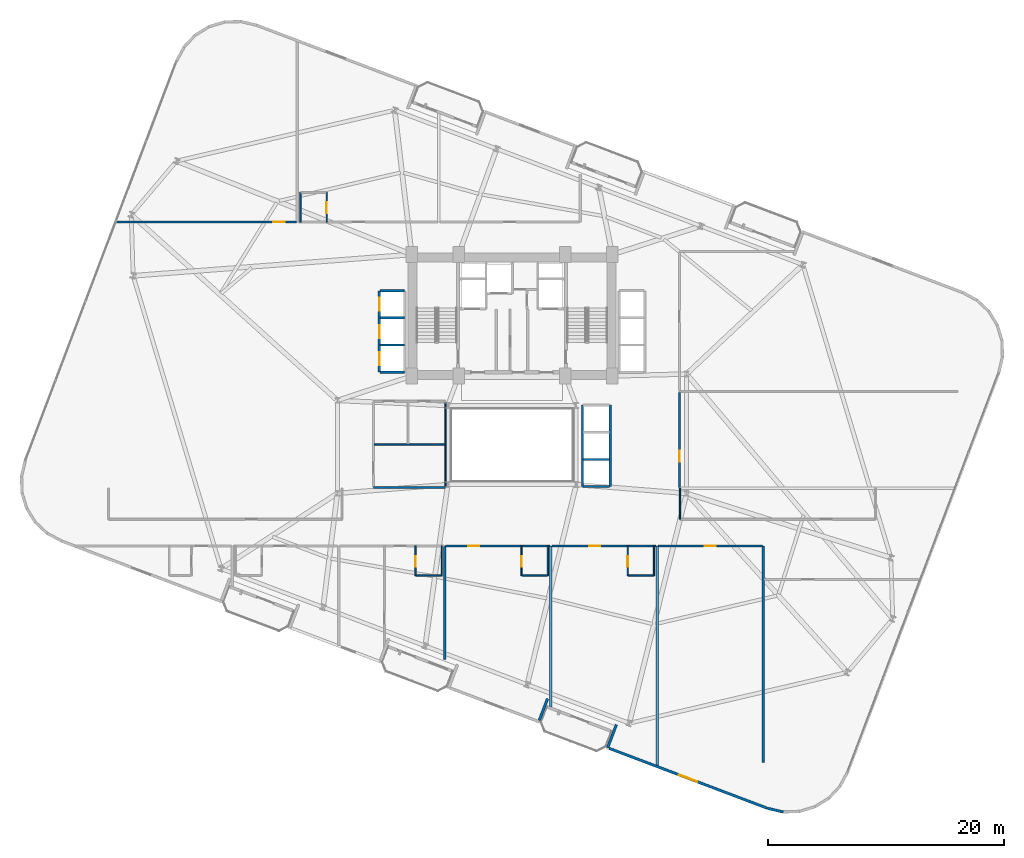
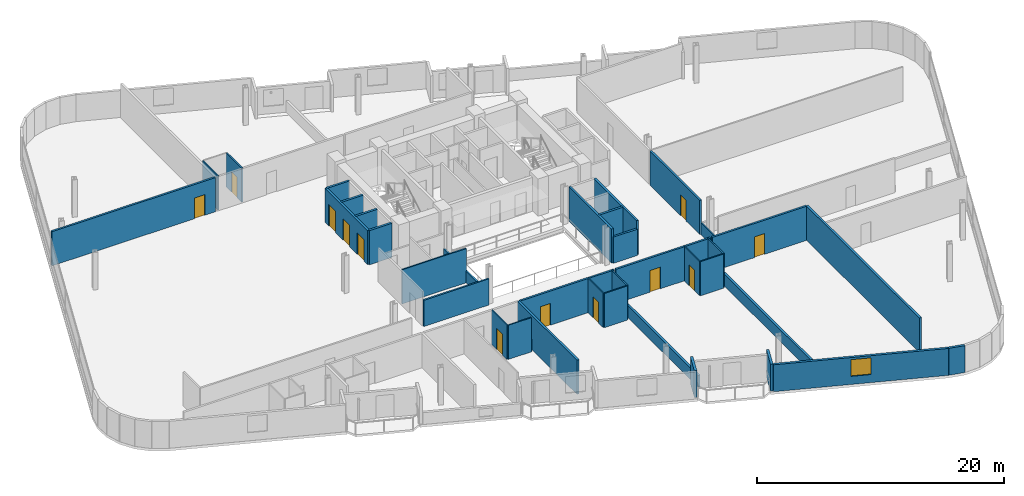
# One storey, part 19 of 25: 37 walls, 12 doors, 1 window, 13 openings.
"""IFC4 building model written with IfcOpenShell, lengths in metres."""

from ifc_helpers import new_model, si_unit, direction, frame, frame_2d, origin, place, context, subcontext, project, spatial, rectangle, extrude, material, layer, layer_set, type_object, element, fill, save


model = new_model("IFC4")

# Units and contexts
model_context = context("Model", 3, precision=1e-05, world=origin(), true_north=direction((0.0, 1.0)))
body_context = subcontext(model_context, "Body", "Model", "MODEL_VIEW")
ifc_project = project(units=[si_unit("LENGTHUNIT", "METRE"), si_unit("AREAUNIT", "SQUARE_METRE"), si_unit("VOLUMEUNIT", "CUBIC_METRE"), si_unit("PLANEANGLEUNIT", "RADIAN"), si_unit("MASSUNIT", "GRAM", prefix="KILO")], contexts=[model_context])

# Site, building, storey
site_placement = place(None, origin())
site = spatial("IfcSite", under=ifc_project, at=site_placement, CompositionType="ELEMENT")
building_placement = place(site_placement, origin())
building = spatial("IfcBuilding", under=site, at=building_placement, Name="Varnelok Gate Tower", CompositionType="ELEMENT")
storey_placement = place(building_placement, frame((0.0, 0.0, 113.199951171875)))
storey = spatial("IfcBuildingStorey", under=building, at=storey_placement, Name="L28", CompositionType="ELEMENT", Elevation=113.199951171875)

# Walls
ifc_material_1 = material(Name="Concrete C45/55", Category="concrete")
ifc_layer_1 = layer(ifc_material_1, 0.219970703125)
ifc_layer_set_1 = layer_set([ifc_layer_1], Name="Concrete C45/55")
wall_type_1 = type_object("IfcWallType", Name="EW-BALC-220", PredefinedType="SOLIDWALL", material=ifc_layer_set_1)
wall_1_placement = place(storey_placement, frame((41.515625, -0.4423828125, 0.0), z_axis=(0.0, 0.0, 1.0), x_axis=(0.354061611705, 0.935222099352, 0.0)))
element("IfcWall", 1, at=wall_1_placement, inside=storey, type_object=wall_type_1, Name="L28 Perimeter Facade Closure Wall 14", PredefinedType="SOLIDWALL", context=body_context, shape_type="SweptSolid", body=[
    extrude(rectangle(XDim=1.974853515625, YDim=0.219970703125, at=frame_2d((0.9873046875, 0.0))), origin(), (0.0, 0.0, 1.0), 2.66015625),
])
wall_2_placement = place(storey_placement, frame((48.050537109375, -0.8046875, 0.0), z_axis=(0.0, 0.0, 1.0), x_axis=(-0.353988291547, -0.935249854022, 0.0)))
element("IfcWall", 2, at=wall_2_placement, inside=storey, type_object=wall_type_1, Name="L28 Perimeter Facade Closure Wall 15", PredefinedType="SOLIDWALL", context=body_context, shape_type="SweptSolid", body=[
    extrude(rectangle(XDim=2.10009765625, YDim=0.219970703125, at=frame_2d((1.050048828125, 0.0))), origin(), (0.0, 0.0, 1.0), 2.66015625),
])

# Wall, opening, window
wall_3_placement = place(storey_placement, frame((47.424072265625, -2.81298828125, 0.0), z_axis=(0.0, 0.0, 1.0), x_axis=(0.935225962032, -0.354051408614, 0.0)))
wall_3 = element("IfcWall", 3, at=wall_3_placement, inside=storey, type_object=wall_type_1, Name="L28 Perimeter Facade Closure Wall 16", PredefinedType="SOLIDWALL", context=body_context, shape_type="SweptSolid", body=[
    extrude(rectangle(XDim=14.346923828125, YDim=0.219970703125, at=frame_2d((7.17333984375, 0.0))), origin(), (0.0, 0.0, 1.0), 2.66015625),
])
opening_1_placement = place(wall_3_placement, frame((6.348388671875, 0.0, 0.800048828125)))
opening_1 = element("IfcOpeningElement", 4, at=opening_1_placement, cuts=wall_3, Name="Opening WN3", PredefinedType="OPENING", context=body_context, shape_type="SweptSolid", body=[
    extrude(rectangle(XDim=1.64990234375, YDim=1.64990234375, at=frame_2d((0.824951171875, 0.824951171875))), frame((0.0, 0.119873046875, 0.0), z_axis=(0.0, -1.0, 0.0), x_axis=(1.0, 0.0, 0.0)), (0.0, 0.0, 1.0), 0.239990234375),
])
ifc_material_2 = material(Name="Low-E Laminated Double Glazing IGU", Category="glass")
window_type = type_object("IfcWindowType", Name="WN-HTL-1650", PartitioningType="SINGLE_PANEL", PredefinedType="WINDOW", material=ifc_material_2)
window_placement = place(opening_1_placement, origin())
window = element("IfcWindow", 5, at=window_placement, inside=storey, type_object=window_type, Name="L28 Perimeter Vision Window 16", OverallHeight=1.64990234375, OverallWidth=1.64990234375, PartitioningType="SINGLE_PANEL", PredefinedType="WINDOW", context=body_context, shape_type="SweptSolid", body=[
    extrude(rectangle(XDim=1.64990234375, YDim=1.64990234375, at=frame_2d((0.824951171875, 0.824951171875))), frame((0.0, 0.030029296875, 0.0), z_axis=(0.0, -1.0, 0.0), x_axis=(1.0, 0.0, 0.0)), (0.0, 0.0, 1.0), 0.06005859375),
])
fill(opening_1, window)

# Wall
wall_4_placement = place(storey_placement, frame((60.8662109375, -7.8984375, 0.0), z_axis=(0.0, 0.0, 1.0), x_axis=(0.973405403345, -0.229089329169, 0.0)))
element("IfcWall", 6, at=wall_4_placement, inside=storey, type_object=wall_type_1, Name="L28 Perimeter Facade Closure Wall 17", PredefinedType="SOLIDWALL", context=body_context, shape_type="SweptSolid", body=[
    extrude(rectangle(XDim=1.36083984375, YDim=0.219970703125, at=frame_2d((0.680419921875, 0.0))), origin(), (0.0, 0.0, 1.0), 2.66015625),
])

# Wall, opening, door
ifc_material_3 = material(Name="Gypsum Plasterboard Acoustic Partition", Category="gypsum")
ifc_layer_2 = layer(ifc_material_3, 0.179931640625)
ifc_layer_set_2 = layer_set([ifc_layer_2], Name="Gypsum Plasterboard Acoustic Partition")
wall_type_2 = type_object("IfcWallType", Name="PW-CORR-180", PredefinedType="PARTITIONING", material=ifc_layer_set_2)
wall_5_placement = place(storey_placement, frame((33.580078125, 14.35009765625, 0.0), z_axis=(0.0, 0.0, 1.0), x_axis=(1.0, 0.0, 0.0)))
wall_5 = element("IfcWall", 7, at=wall_5_placement, inside=storey, type_object=wall_type_2, Name="Interior Partition", PredefinedType="PARTITIONING", context=body_context, shape_type="SweptSolid", body=[
    extrude(rectangle(XDim=8.83984375, YDim=0.179931640625, at=frame_2d((4.419921875, 0.0))), origin(), (0.0, 0.0, 1.0), 3.380126953125),
])
opening_2_placement = place(wall_5_placement, frame((1.90673828125, 0.0, 0.0)))
opening_2 = element("IfcOpeningElement", 8, at=opening_2_placement, cuts=wall_5, Name="Opening D-HT", PredefinedType="OPENING", context=body_context, shape_type="SweptSolid", body=[
    extrude(rectangle(XDim=0.949951171875, YDim=2.14990234375, at=frame_2d((0.47509765625, 1.074951171875))), frame((0.0, 0.099853515625, 0.0), z_axis=(0.0, -1.0, 0.0), x_axis=(1.0, 0.0, 0.0)), (0.0, 0.0, 1.0), 0.199951171875),
])
ifc_material_4 = material(Name="Engineered Hardwood Timber", Category="wood")
door_type_1 = type_object("IfcDoorType", Name="DR-HTL-950", OperationType="NOTDEFINED", PredefinedType="DOOR", material=ifc_material_4)
door_1_placement = place(opening_2_placement, origin())
door_1 = element("IfcDoor", 9, at=door_1_placement, inside=storey, type_object=door_type_1, Name="L28 Guest Room 04 Entrance Door", OperationType="SINGLE_SWING_LEFT", OverallHeight=2.14990234375, OverallWidth=0.949951171875, PredefinedType="DOOR", context=body_context, shape_type="SweptSolid", body=[
    extrude(rectangle(XDim=0.949951171875, YDim=2.14990234375, at=frame_2d((0.47509765625, 1.074951171875))), frame((0.0, 0.02490234375, 0.0), z_axis=(0.0, -1.0, 0.0), x_axis=(1.0, 0.0, 0.0)), (0.0, 0.0, 1.0), 0.050048828125),
])
fill(opening_2, door_1)

wall_6_placement = place(storey_placement, frame((42.580078125, 14.35009765625, 0.0), z_axis=(0.0, 0.0, 1.0), x_axis=(1.0, 0.0, 0.0)))
wall_6 = element("IfcWall", 10, at=wall_6_placement, inside=storey, type_object=wall_type_2, Name="Interior Partition", PredefinedType="PARTITIONING", context=body_context, shape_type="SweptSolid", body=[
    extrude(rectangle(XDim=8.83984375, YDim=0.179931640625, at=frame_2d((4.419921875, 0.0))), origin(), (0.0, 0.0, 1.0), 3.380126953125),
])
opening_3_placement = place(wall_6_placement, frame((3.171630859375, 0.0, 0.0)))
opening_3 = element("IfcOpeningElement", 11, at=opening_3_placement, cuts=wall_6, Name="Opening D-HT", PredefinedType="OPENING", context=body_context, shape_type="SweptSolid", body=[
    extrude(rectangle(XDim=0.949951171875, YDim=2.14990234375, at=frame_2d((0.47509765625, 1.074951171875))), frame((0.0, 0.099853515625, 0.0), z_axis=(0.0, -1.0, 0.0), x_axis=(1.0, 0.0, 0.0)), (0.0, 0.0, 1.0), 0.199951171875),
])
door_2_placement = place(opening_3_placement, origin())
door_2 = element("IfcDoor", 12, at=door_2_placement, inside=storey, type_object=door_type_1, Name="L28 Guest Room 05 Entrance Door", OperationType="SINGLE_SWING_RIGHT", OverallHeight=2.14990234375, OverallWidth=0.949951171875, PredefinedType="DOOR", context=body_context, shape_type="SweptSolid", body=[
    extrude(rectangle(XDim=0.949951171875, YDim=2.14990234375, at=frame_2d((0.47509765625, 1.074951171875))), frame((0.0, 0.02490234375, 0.0), z_axis=(0.0, -1.0, 0.0), x_axis=(1.0, 0.0, 0.0)), (0.0, 0.0, 1.0), 0.050048828125),
])
fill(opening_3, door_2)

wall_7_placement = place(storey_placement, frame((51.580078125, 14.35009765625, 0.0), z_axis=(0.0, 0.0, 1.0), x_axis=(1.0, 0.0, 0.0)))
wall_7 = element("IfcWall", 13, at=wall_7_placement, inside=storey, type_object=wall_type_2, Name="Interior Partition", PredefinedType="PARTITIONING", context=body_context, shape_type="SweptSolid", body=[
    extrude(rectangle(XDim=8.83984375, YDim=0.179931640625, at=frame_2d((4.419921875, 0.0))), origin(), (0.0, 0.0, 1.0), 3.380126953125),
])
opening_4_placement = place(wall_7_placement, frame((3.945068359375, 0.0, 0.0)))
opening_4 = element("IfcOpeningElement", 14, at=opening_4_placement, cuts=wall_7, Name="Opening D-I2", PredefinedType="OPENING", context=body_context, shape_type="SweptSolid", body=[
    extrude(rectangle(XDim=0.949951171875, YDim=2.050048828125, at=frame_2d((0.47509765625, 1.02490234375))), frame((0.0, 0.099853515625, 0.0), z_axis=(0.0, -1.0, 0.0), x_axis=(1.0, 0.0, 0.0)), (0.0, 0.0, 1.0), 0.199951171875),
])
door_type_2 = type_object("IfcDoorType", Name="DR-INT-950", OperationType="NOTDEFINED", PredefinedType="DOOR", material=ifc_material_4)
door_3_placement = place(opening_4_placement, origin())
door_3 = element("IfcDoor", 15, at=door_3_placement, inside=storey, type_object=door_type_2, Name="L28 Hotel Business Center Door", OperationType="SINGLE_SWING_LEFT", OverallHeight=2.050048828125, OverallWidth=0.949951171875, PredefinedType="DOOR", context=body_context, shape_type="SweptSolid", body=[
    extrude(rectangle(XDim=0.949951171875, YDim=2.050048828125, at=frame_2d((0.47509765625, 1.02490234375))), frame((0.0, 0.02490234375, 0.0), z_axis=(0.0, -1.0, 0.0), x_axis=(1.0, 0.0, 0.0)), (0.0, 0.0, 1.0), 0.050048828125),
])
fill(opening_4, door_3)

wall_8_placement = place(storey_placement, frame((5.64599609375, 41.800048828125, 0.0), z_axis=(0.0, 0.0, 1.0), x_axis=(1.0, 0.0, 0.0)))
wall_8 = element("IfcWall", 16, at=wall_8_placement, inside=storey, type_object=wall_type_2, Name="Interior Partition", PredefinedType="PARTITIONING", context=body_context, shape_type="SweptSolid", body=[
    extrude(rectangle(XDim=15.27392578125, YDim=0.179931640625, at=frame_2d((7.636962890625, 0.0))), origin(), (0.0, 0.0, 1.0), 3.380126953125),
])
opening_5_placement = place(wall_8_placement, frame((13.3291015625, 0.0, 0.0)))
opening_5 = element("IfcOpeningElement", 17, at=opening_5_placement, cuts=wall_8, Name="Opening D-I2", PredefinedType="OPENING", context=body_context, shape_type="SweptSolid", body=[
    extrude(rectangle(XDim=0.949951171875, YDim=2.050048828125, at=frame_2d((0.47509765625, 1.02490234375))), frame((0.0, 0.099853515625, 0.0), z_axis=(0.0, -1.0, 0.0), x_axis=(1.0, 0.0, 0.0)), (0.0, 0.0, 1.0), 0.199951171875),
])
door_4_placement = place(opening_5_placement, origin())
door_4 = element("IfcDoor", 18, at=door_4_placement, inside=storey, type_object=door_type_2, Name="L28 Sky Library Door", OperationType="SINGLE_SWING_LEFT", OverallHeight=2.050048828125, OverallWidth=0.949951171875, PredefinedType="DOOR", context=body_context, shape_type="SweptSolid", body=[
    extrude(rectangle(XDim=0.949951171875, YDim=2.050048828125, at=frame_2d((0.47509765625, 1.02490234375))), frame((0.0, 0.02490234375, 0.0), z_axis=(0.0, -1.0, 0.0), x_axis=(1.0, 0.0, 0.0)), (0.0, 0.0, 1.0), 0.050048828125),
])
fill(opening_5, door_4)

wall_9_placement = place(storey_placement, frame((53.389892578125, 19.300048828125, 0.0), z_axis=(0.0, 0.0, 1.0), x_axis=(0.0, 1.0, 0.0)))
wall_9 = element("IfcWall", 19, at=wall_9_placement, inside=storey, type_object=wall_type_2, Name="Interior Partition", PredefinedType="PARTITIONING", context=body_context, shape_type="SweptSolid", body=[
    extrude(rectangle(XDim=8.070068359375, YDim=0.179931640625, at=frame_2d((4.03515625, 0.0))), origin(), (0.0, 0.0, 1.0), 3.380126953125),
])
opening_6_placement = place(wall_9_placement, frame((2.199951171875, 0.0, 0.0)))
opening_6 = element("IfcOpeningElement", 20, at=opening_6_placement, cuts=wall_9, Name="Opening D-I3", PredefinedType="OPENING", context=body_context, shape_type="SweptSolid", body=[
    extrude(rectangle(XDim=0.919921875, YDim=2.050048828125, at=frame_2d((0.4599609375, 1.02490234375))), frame((0.0, 0.099853515625, 0.0), z_axis=(0.0, -1.0, 0.0), x_axis=(1.0, 0.0, 0.0)), (0.0, 0.0, 1.0), 0.199951171875),
])
door_type_3 = type_object("IfcDoorType", Name="DR-INT-920", OperationType="NOTDEFINED", PredefinedType="DOOR", material=ifc_material_4)
door_5_placement = place(opening_6_placement, origin())
door_5 = element("IfcDoor", 21, at=door_5_placement, inside=storey, type_object=door_type_3, Name="L28 East Suite 1 Door", OperationType="SINGLE_SWING_LEFT", OverallHeight=2.050048828125, OverallWidth=0.919921875, PredefinedType="DOOR", context=body_context, shape_type="SweptSolid", body=[
    extrude(rectangle(XDim=0.919921875, YDim=2.050048828125, at=frame_2d((0.4599609375, 1.02490234375))), frame((0.0, 0.02490234375, 0.0), z_axis=(0.0, -1.0, 0.0), x_axis=(1.0, 0.0, 0.0)), (0.0, 0.0, 1.0), 0.050048828125),
])
fill(opening_6, door_5)

# Wall
ifc_layer_3 = layer(ifc_material_3, 0.114990234375)
ifc_layer_set_3 = layer_set([ifc_layer_3], Name="Gypsum Plasterboard Acoustic Partition")
wall_type_3 = type_object("IfcWallType", Name="PW-ENS-125", PredefinedType="PARTITIONING", material=ifc_layer_set_3)
wall_10_placement = place(storey_placement, frame((31.050048828125, 11.830078125, 0.0), z_axis=(0.0, 0.0, 1.0), x_axis=(1.0, 0.0, 0.0)))
element("IfcWall", 22, at=wall_10_placement, inside=storey, type_object=wall_type_3, Name="Interior Partition", PredefinedType="PARTITIONING", context=body_context, shape_type="SweptSolid", body=[
    extrude(rectangle(XDim=2.14990234375, YDim=0.114990234375, at=frame_2d((1.074951171875, 0.0))), origin(), (0.0, 0.0, 1.0), 3.380126953125),
])

# Wall, opening, door
wall_11_placement = place(storey_placement, frame((31.010009765625, 11.830078125, 0.0), z_axis=(0.0, 0.0, 1.0), x_axis=(0.0, 1.0, 0.0)))
wall_11 = element("IfcWall", 23, at=wall_11_placement, inside=storey, type_object=wall_type_3, Name="Interior Partition", PredefinedType="PARTITIONING", context=body_context, shape_type="SweptSolid", body=[
    extrude(rectangle(XDim=2.52001953125, YDim=0.114990234375, at=frame_2d((1.260009765625, 0.0))), origin(), (0.0, 0.0, 1.0), 3.380126953125),
])
opening_7_placement = place(wall_11_placement, frame((0.760009765625, 0.0, 0.0)))
opening_7 = element("IfcOpeningElement", 24, at=opening_7_placement, cuts=wall_11, Name="Opening D-WC", PredefinedType="OPENING", context=body_context, shape_type="SweptSolid", body=[
    extrude(rectangle(XDim=0.89990234375, YDim=2.050048828125, at=frame_2d((0.449951171875, 1.02490234375))), frame((0.0, 0.0673828125, 0.0), z_axis=(0.0, -1.0, 0.0), x_axis=(1.0, 0.0, 0.0)), (0.0, 0.0, 1.0), 0.135009765625),
])
door_type_4 = type_object("IfcDoorType", Name="DR-BATH-900", OperationType="NOTDEFINED", PredefinedType="DOOR", material=ifc_material_4)
door_6_placement = place(opening_7_placement, origin())
door_6 = element("IfcDoor", 25, at=door_6_placement, inside=storey, type_object=door_type_4, Name="L28 Guest En-Suite 03 Door", OperationType="SINGLE_SWING_RIGHT", OverallHeight=2.050048828125, OverallWidth=0.89990234375, PredefinedType="DOOR", context=body_context, shape_type="SweptSolid", body=[
    extrude(rectangle(XDim=0.89990234375, YDim=2.050048828125, at=frame_2d((0.449951171875, 1.02490234375))), frame((0.0, 0.02490234375, 0.0), z_axis=(0.0, -1.0, 0.0), x_axis=(1.0, 0.0, 0.0)), (0.0, 0.0, 1.0), 0.050048828125),
])
fill(opening_7, door_6)

# Walls
wall_12_placement = place(storey_placement, frame((33.239990234375, 11.830078125, 0.0), z_axis=(0.0, 0.0, 1.0), x_axis=(0.0, 1.0, 0.0)))
element("IfcWall", 26, at=wall_12_placement, inside=storey, type_object=wall_type_3, Name="Interior Partition", PredefinedType="PARTITIONING", context=body_context, shape_type="SweptSolid", body=[
    extrude(rectangle(XDim=2.52001953125, YDim=0.114990234375, at=frame_2d((1.260009765625, 0.0))), origin(), (0.0, 0.0, 1.0), 1.1650390625),
])
wall_13_placement = place(storey_placement, frame((40.050048828125, 11.830078125, 0.0), z_axis=(0.0, 0.0, 1.0), x_axis=(1.0, 0.0, 0.0)))
element("IfcWall", 27, at=wall_13_placement, inside=storey, type_object=wall_type_3, Name="Interior Partition", PredefinedType="PARTITIONING", context=body_context, shape_type="SweptSolid", body=[
    extrude(rectangle(XDim=2.14990234375, YDim=0.114990234375, at=frame_2d((1.074951171875, 0.0))), origin(), (0.0, 0.0, 1.0), 3.380126953125),
])

# Wall, opening, door
wall_14_placement = place(storey_placement, frame((40.010009765625, 11.830078125, 0.0), z_axis=(0.0, 0.0, 1.0), x_axis=(0.0, 1.0, 0.0)))
wall_14 = element("IfcWall", 28, at=wall_14_placement, inside=storey, type_object=wall_type_3, Name="Interior Partition", PredefinedType="PARTITIONING", context=body_context, shape_type="SweptSolid", body=[
    extrude(rectangle(XDim=2.52001953125, YDim=0.114990234375, at=frame_2d((1.260009765625, 0.0))), origin(), (0.0, 0.0, 1.0), 3.380126953125),
])
opening_8_placement = place(wall_14_placement, frame((0.760009765625, 0.0, 0.0)))
opening_8 = element("IfcOpeningElement", 29, at=opening_8_placement, cuts=wall_14, Name="Opening D-WC", PredefinedType="OPENING", context=body_context, shape_type="SweptSolid", body=[
    extrude(rectangle(XDim=0.89990234375, YDim=2.050048828125, at=frame_2d((0.449951171875, 1.02490234375))), frame((0.0, 0.0673828125, 0.0), z_axis=(0.0, -1.0, 0.0), x_axis=(1.0, 0.0, 0.0)), (0.0, 0.0, 1.0), 0.135009765625),
])
door_7_placement = place(opening_8_placement, origin())
door_7 = element("IfcDoor", 30, at=door_7_placement, inside=storey, type_object=door_type_4, Name="L28 Guest En-Suite 04 Door", OperationType="SINGLE_SWING_RIGHT", OverallHeight=2.050048828125, OverallWidth=0.89990234375, PredefinedType="DOOR", context=body_context, shape_type="SweptSolid", body=[
    extrude(rectangle(XDim=0.89990234375, YDim=2.050048828125, at=frame_2d((0.449951171875, 1.02490234375))), frame((0.0, 0.02490234375, 0.0), z_axis=(0.0, -1.0, 0.0), x_axis=(1.0, 0.0, 0.0)), (0.0, 0.0, 1.0), 0.050048828125),
])
fill(opening_8, door_7)

# Walls
wall_15_placement = place(storey_placement, frame((42.239990234375, 11.830078125, 0.0), z_axis=(0.0, 0.0, 1.0), x_axis=(0.0, 1.0, 0.0)))
element("IfcWall", 31, at=wall_15_placement, inside=storey, type_object=wall_type_3, Name="Interior Partition", PredefinedType="PARTITIONING", context=body_context, shape_type="SweptSolid", body=[
    extrude(rectangle(XDim=2.52001953125, YDim=0.114990234375, at=frame_2d((1.260009765625, 0.0))), origin(), (0.0, 0.0, 1.0), 3.380126953125),
])
wall_16_placement = place(storey_placement, frame((49.050048828125, 11.830078125, 0.0), z_axis=(0.0, 0.0, 1.0), x_axis=(1.0, 0.0, 0.0)))
element("IfcWall", 32, at=wall_16_placement, inside=storey, type_object=wall_type_3, Name="Interior Partition", PredefinedType="PARTITIONING", context=body_context, shape_type="SweptSolid", body=[
    extrude(rectangle(XDim=2.14990234375, YDim=0.114990234375, at=frame_2d((1.074951171875, 0.0))), origin(), (0.0, 0.0, 1.0), 3.380126953125),
])

# Wall, opening, door
wall_17_placement = place(storey_placement, frame((49.010009765625, 11.830078125, 0.0), z_axis=(0.0, 0.0, 1.0), x_axis=(0.0, 1.0, 0.0)))
wall_17 = element("IfcWall", 33, at=wall_17_placement, inside=storey, type_object=wall_type_3, Name="Interior Partition", PredefinedType="PARTITIONING", context=body_context, shape_type="SweptSolid", body=[
    extrude(rectangle(XDim=2.52001953125, YDim=0.114990234375, at=frame_2d((1.260009765625, 0.0))), origin(), (0.0, 0.0, 1.0), 3.380126953125),
])
opening_9_placement = place(wall_17_placement, frame((0.760009765625, 0.0, 0.0)))
opening_9 = element("IfcOpeningElement", 34, at=opening_9_placement, cuts=wall_17, Name="Opening D-WC", PredefinedType="OPENING", context=body_context, shape_type="SweptSolid", body=[
    extrude(rectangle(XDim=0.89990234375, YDim=2.050048828125, at=frame_2d((0.449951171875, 1.02490234375))), frame((0.0, 0.0673828125, 0.0), z_axis=(0.0, -1.0, 0.0), x_axis=(1.0, 0.0, 0.0)), (0.0, 0.0, 1.0), 0.135009765625),
])
door_8_placement = place(opening_9_placement, origin())
door_8 = element("IfcDoor", 35, at=door_8_placement, inside=storey, type_object=door_type_4, Name="L28 Guest En-Suite 05 Door", OperationType="SINGLE_SWING_RIGHT", OverallHeight=2.050048828125, OverallWidth=0.89990234375, PredefinedType="DOOR", context=body_context, shape_type="SweptSolid", body=[
    extrude(rectangle(XDim=0.89990234375, YDim=2.050048828125, at=frame_2d((0.449951171875, 1.02490234375))), frame((0.0, 0.02490234375, 0.0), z_axis=(0.0, -1.0, 0.0), x_axis=(1.0, 0.0, 0.0)), (0.0, 0.0, 1.0), 0.050048828125),
])
fill(opening_9, door_8)

# Wall
wall_18_placement = place(storey_placement, frame((51.239990234375, 11.830078125, 0.0), z_axis=(0.0, 0.0, 1.0), x_axis=(0.0, 1.0, 0.0)))
element("IfcWall", 36, at=wall_18_placement, inside=storey, type_object=wall_type_3, Name="Interior Partition", PredefinedType="PARTITIONING", context=body_context, shape_type="SweptSolid", body=[
    extrude(rectangle(XDim=2.52001953125, YDim=0.114990234375, at=frame_2d((1.260009765625, 0.0))), origin(), (0.0, 0.0, 1.0), 3.380126953125),
])

# Wall, opening, door
wall_19_placement = place(storey_placement, frame((23.489990234375, 41.800048828125, 0.0), z_axis=(0.0, 0.0, 1.0), x_axis=(0.0, 1.0, 0.0)))
wall_19 = element("IfcWall", 37, at=wall_19_placement, inside=storey, type_object=wall_type_3, Name="Interior Partition", PredefinedType="PARTITIONING", context=body_context, shape_type="SweptSolid", body=[
    extrude(rectangle(XDim=2.52001953125, YDim=0.114990234375, at=frame_2d((1.260009765625, 0.0))), origin(), (0.0, 0.0, 1.0), 3.380126953125),
])
opening_10_placement = place(wall_19_placement, frame((0.760009765625, 0.0, 0.0)))
opening_10 = element("IfcOpeningElement", 38, at=opening_10_placement, cuts=wall_19, Name="Opening D-WC", PredefinedType="OPENING", context=body_context, shape_type="SweptSolid", body=[
    extrude(rectangle(XDim=0.89990234375, YDim=2.050048828125, at=frame_2d((0.449951171875, 1.02490234375))), frame((0.0, 0.0673828125, 0.0), z_axis=(0.0, -1.0, 0.0), x_axis=(1.0, 0.0, 0.0)), (0.0, 0.0, 1.0), 0.135009765625),
])
door_9_placement = place(opening_10_placement, origin())
door_9 = element("IfcDoor", 39, at=door_9_placement, inside=storey, type_object=door_type_4, Name="L28 North En-Suite 09 Door", OperationType="SINGLE_SWING_RIGHT", OverallHeight=2.050048828125, OverallWidth=0.89990234375, PredefinedType="DOOR", context=body_context, shape_type="SweptSolid", body=[
    extrude(rectangle(XDim=0.89990234375, YDim=2.050048828125, at=frame_2d((0.449951171875, 1.02490234375))), frame((0.0, 0.02490234375, 0.0), z_axis=(0.0, -1.0, 0.0), x_axis=(1.0, 0.0, 0.0)), (0.0, 0.0, 1.0), 0.050048828125),
])
fill(opening_10, door_9)

# Walls
wall_20_placement = place(storey_placement, frame((21.260009765625, 41.800048828125, 0.0), z_axis=(0.0, 0.0, 1.0), x_axis=(0.0, 1.0, 0.0)))
element("IfcWall", 40, at=wall_20_placement, inside=storey, type_object=wall_type_3, Name="Interior Partition", PredefinedType="PARTITIONING", context=body_context, shape_type="SweptSolid", body=[
    extrude(rectangle(XDim=2.52001953125, YDim=0.114990234375, at=frame_2d((1.260009765625, 0.0))), origin(), (0.0, 0.0, 1.0), 3.380126953125),
])
ifc_layer_4 = layer(ifc_material_3, 0.125)
ifc_layer_set_4 = layer_set([ifc_layer_4], Name="Gypsum Plasterboard Acoustic Partition")
wall_type_4 = type_object("IfcWallType", Name="PW-PART-125", PredefinedType="PARTITIONING", material=ifc_layer_set_4)
wall_21_placement = place(storey_placement, frame((53.449951171875, 16.610107421875, 0.0), z_axis=(0.0, 0.0, 1.0), x_axis=(0.0, 1.0, 0.0)))
element("IfcWall", 41, at=wall_21_placement, inside=storey, type_object=wall_type_4, Name="Interior Partition", PredefinedType="PARTITIONING", context=body_context, shape_type="SweptSolid", body=[
    extrude(rectangle(XDim=2.6298828125, YDim=0.125, at=frame_2d((1.31494140625, 0.0))), origin(), (0.0, 0.0, 1.0), 1.1650390625),
])
wall_22_placement = place(storey_placement, frame((27.52001953125, 22.929931640625, 0.0), z_axis=(0.0, 0.0, 1.0), x_axis=(1.0, 0.0, 0.0)))
element("IfcWall", 42, at=wall_22_placement, inside=storey, type_object=wall_type_4, Name="Interior Partition", PredefinedType="PARTITIONING", context=body_context, shape_type="SweptSolid", body=[
    extrude(rectangle(XDim=6.0, YDim=0.125, at=frame_2d((3.0, 0.0))), origin(), (0.0, 0.0, 1.0), 3.380126953125),
])
ifc_layer_5 = layer(ifc_material_3, 0.14990234375)
ifc_layer_set_5 = layer_set([ifc_layer_5], Name="Gypsum Plasterboard Acoustic Partition")
wall_type_5 = type_object("IfcWallType", Name="PW-PART-150", PredefinedType="PARTITIONING", material=ifc_layer_set_5)
wall_23_placement = place(storey_placement, frame((27.4599609375, 19.300048828125, 0.0), z_axis=(0.0, 0.0, 1.0), x_axis=(1.0, 0.0, 0.0)))
element("IfcWall", 43, at=wall_23_placement, inside=storey, type_object=wall_type_5, Name="Interior Partition", PredefinedType="PARTITIONING", context=body_context, shape_type="SweptSolid", body=[
    extrude(rectangle(XDim=6.10009765625, YDim=0.14990234375, at=frame_2d((3.050048828125, 0.0))), origin(), (0.0, 0.0, 1.0), 2.592041015625),
])
wall_24_placement = place(storey_placement, frame((33.56005859375, 19.3798828125, 0.0), z_axis=(0.0, 0.0, 1.0), x_axis=(0.0, 1.0, 0.0)))
element("IfcWall", 44, at=wall_24_placement, inside=storey, type_object=wall_type_5, Name="Interior Partition", PredefinedType="PARTITIONING", context=body_context, shape_type="SweptSolid", body=[
    extrude(rectangle(XDim=7.16015625, YDim=0.14990234375, at=frame_2d((3.580078125, 0.0))), origin(), (0.0, 0.0, 1.0), 1.1650390625),
])
ifc_layer_6 = layer(ifc_material_3, 0.205078125)
ifc_layer_set_6 = layer_set([ifc_layer_6], Name="Gypsum Plasterboard Acoustic Partition")
wall_type_6 = type_object("IfcWallType", Name="PW-PARTY-200", PredefinedType="PARTITIONING", material=ifc_layer_set_6)
wall_25_placement = place(storey_placement, frame((33.5, 4.725341796875, 0.0), z_axis=(0.0, 0.0, 1.0), x_axis=(0.0, 1.0, 0.0)))
element("IfcWall", 45, at=wall_25_placement, inside=storey, type_object=wall_type_6, Name="L28 South Party Wall 3", PredefinedType="PARTITIONING", context=body_context, shape_type="SweptSolid", body=[
    extrude(rectangle(XDim=9.624755859375, YDim=0.205078125, at=frame_2d((4.8125, 0.0))), origin(), (0.0, 0.0, 1.0), 3.380126953125),
])
wall_26_placement = place(storey_placement, frame((42.5, 0.685302734375, 0.0), z_axis=(0.0, 0.0, 1.0), x_axis=(0.0, 1.0, 0.0)))
element("IfcWall", 46, at=wall_26_placement, inside=storey, type_object=wall_type_6, Name="L28 South Party Wall 4", PredefinedType="PARTITIONING", context=body_context, shape_type="SweptSolid", body=[
    extrude(rectangle(XDim=13.664794921875, YDim=0.205078125, at=frame_2d((6.83251953125, 0.0))), origin(), (0.0, 0.0, 1.0), 1.1650390625),
])
wall_27_placement = place(storey_placement, frame((51.5, -4.2509765625, 0.0), z_axis=(0.0, 0.0, 1.0), x_axis=(0.0, 1.0, 0.0)))
element("IfcWall", 47, at=wall_27_placement, inside=storey, type_object=wall_type_6, Name="L28 South Party Wall 5", PredefinedType="PARTITIONING", context=body_context, shape_type="SweptSolid", body=[
    extrude(rectangle(XDim=18.60107421875, YDim=0.205078125, at=frame_2d((9.300537109375, 0.0))), origin(), (0.0, 0.0, 1.0), 1.1650390625),
])
wall_28_placement = place(storey_placement, frame((60.5, -4.0, 0.0), z_axis=(0.0, 0.0, 1.0), x_axis=(0.0, 1.0, 0.0)))
element("IfcWall", 48, at=wall_28_placement, inside=storey, type_object=wall_type_6, Name="L28 South Party Wall 6", PredefinedType="PARTITIONING", context=body_context, shape_type="SweptSolid", body=[
    extrude(rectangle(XDim=18.35009765625, YDim=0.205078125, at=frame_2d((9.175048828125, 0.0))), origin(), (0.0, 0.0, 1.0), 3.380126953125),
])
ifc_material_5 = material(Name="Concrete C35/45", Category="concrete")
ifc_layer_7 = layer(ifc_material_5, 0.199951171875)
ifc_layer_set_7 = layer_set([ifc_layer_7], Name="Concrete C35/45")
wall_type_7 = type_object("IfcWallType", Name="PW-SHAFT-200", PredefinedType="PARTITIONING", material=ifc_layer_set_7)
for number, where, z_axis, x_axis, name in (
    (49, (28.02001953125, 31.375, 0.0), (0.0, 0.0, 1.0), (1.0, 0.0, 0.0), "L28 PL1 Divider"),
    (50, (28.02001953125, 33.675048828125, 0.0), (0.0, 0.0, 1.0), (1.0, 0.0, 0.0), "L28 PL2 Divider"),
):
    element("IfcWall", number, at=place(storey_placement, frame(where, z_axis=z_axis, x_axis=x_axis)), inside=storey, type_object=wall_type_7, Name=name, PredefinedType="PARTITIONING", context=body_context, shape_type="SweptSolid", body=[
        extrude(rectangle(XDim=2.06005859375, YDim=0.199951171875, at=frame_2d((1.030029296875, 0.0))), origin(), (0.0, 0.0, 1.0), 3.380126953125),
    ])
for number, where, z_axis, x_axis, name in (
    (51, (28.0, 29.080078125, 0.0), (0.0, 0.0, 1.0), (1.0, 0.0, 0.0), "L28 PL Bank South Wall"),
    (52, (28.0, 35.969970703125, 0.0), (0.0, 0.0, 1.0), (1.0, 0.0, 0.0), "L28 PL Bank North Wall"),
):
    element("IfcWall", number, at=place(storey_placement, frame(where, z_axis=z_axis, x_axis=x_axis)), inside=storey, type_object=wall_type_7, Name=name, PredefinedType="PARTITIONING", context=body_context, shape_type="SweptSolid", body=[
        extrude(rectangle(XDim=2.10009765625, YDim=0.199951171875, at=frame_2d((1.050048828125, 0.0))), origin(), (0.0, 0.0, 1.0), 3.380126953125),
    ])

# Wall, openings, doors
wall_29_placement = place(storey_placement, frame((27.9599609375, 29.080078125, 0.0), z_axis=(0.0, 0.0, 1.0), x_axis=(0.0, 1.0, 0.0)))
wall_29 = element("IfcWall", 53, at=wall_29_placement, inside=storey, type_object=wall_type_7, Name="L28 PL Bank Front Wall", PredefinedType="PARTITIONING", context=body_context, shape_type="SweptSolid", body=[
    extrude(rectangle(XDim=6.889892578125, YDim=0.199951171875, at=frame_2d((3.44482421875, 0.0))), origin(), (0.0, 0.0, 1.0), 3.380126953125),
])
opening_11_placement = place(wall_29_placement, frame((0.590087890625, 0.0, 0.0)))
opening_11 = element("IfcOpeningElement", 54, at=opening_11_placement, cuts=wall_29, Name="Opening LD-PL1", PredefinedType="OPENING", context=body_context, shape_type="SweptSolid", body=[
    extrude(rectangle(XDim=1.10009765625, YDim=2.14990234375, at=frame_2d((0.550048828125, 1.074951171875))), frame((0.0, 0.10986328125, 0.0), z_axis=(0.0, -1.0, 0.0), x_axis=(1.0, 0.0, 0.0)), (0.0, 0.0, 1.0), 0.219970703125),
])
opening_12_placement = place(wall_29_placement, frame((2.889892578125, 0.0, 0.0)))
opening_12 = element("IfcOpeningElement", 55, at=opening_12_placement, cuts=wall_29, Name="Opening LD-PL2", PredefinedType="OPENING", context=body_context, shape_type="SweptSolid", body=[
    extrude(rectangle(XDim=1.10009765625, YDim=2.14990234375, at=frame_2d((0.550048828125, 1.074951171875))), frame((0.0, 0.10986328125, 0.0), z_axis=(0.0, -1.0, 0.0), x_axis=(1.0, 0.0, 0.0)), (0.0, 0.0, 1.0), 0.219970703125),
])
opening_13_placement = place(wall_29_placement, frame((5.18994140625, 0.0, 0.0)))
opening_13 = element("IfcOpeningElement", 56, at=opening_13_placement, cuts=wall_29, Name="Opening LD-PL3", PredefinedType="OPENING", context=body_context, shape_type="SweptSolid", body=[
    extrude(rectangle(XDim=1.10009765625, YDim=2.14990234375, at=frame_2d((0.550048828125, 1.074951171875))), frame((0.0, 0.10986328125, 0.0), z_axis=(0.0, -1.0, 0.0), x_axis=(1.0, 0.0, 0.0)), (0.0, 0.0, 1.0), 0.219970703125),
])
ifc_material_6 = material(Name="Galvanized Steel Grade S350GD", Category="steel")
door_type_5 = type_object("IfcDoorType", Name="DR-LIFT-PAX1100", OperationType="SLIDING_TO_LEFT", PredefinedType="DOOR", material=ifc_material_6)
door_10_placement = place(opening_11_placement, origin())
door_10 = element("IfcDoor", 57, at=door_10_placement, inside=storey, type_object=door_type_5, Name="L28 Passenger Lift Landing Door LD-PL1", OperationType="SLIDING_TO_LEFT", OverallHeight=2.14990234375, OverallWidth=1.10009765625, PredefinedType="DOOR", context=body_context, shape_type="SweptSolid", body=[
    extrude(rectangle(XDim=1.10009765625, YDim=2.14990234375, at=frame_2d((0.550048828125, 1.074951171875))), frame((0.0, 0.02490234375, 0.0), z_axis=(0.0, -1.0, 0.0), x_axis=(1.0, 0.0, 0.0)), (0.0, 0.0, 1.0), 0.050048828125),
])
fill(opening_11, door_10)
door_11_placement = place(opening_12_placement, origin())
door_11 = element("IfcDoor", 58, at=door_11_placement, inside=storey, type_object=door_type_5, Name="L28 Passenger Lift Landing Door LD-PL2", OperationType="SLIDING_TO_LEFT", OverallHeight=2.14990234375, OverallWidth=1.10009765625, PredefinedType="DOOR", context=body_context, shape_type="SweptSolid", body=[
    extrude(rectangle(XDim=1.10009765625, YDim=2.14990234375, at=frame_2d((0.550048828125, 1.074951171875))), frame((0.0, 0.02490234375, 0.0), z_axis=(0.0, -1.0, 0.0), x_axis=(1.0, 0.0, 0.0)), (0.0, 0.0, 1.0), 0.050048828125),
])
fill(opening_12, door_11)
door_12_placement = place(opening_13_placement, origin())
door_12 = element("IfcDoor", 59, at=door_12_placement, inside=storey, type_object=door_type_5, Name="L28 Passenger Lift Landing Door LD-PL3", OperationType="SLIDING_TO_LEFT", OverallHeight=2.14990234375, OverallWidth=1.10009765625, PredefinedType="DOOR", context=body_context, shape_type="SweptSolid", body=[
    extrude(rectangle(XDim=1.10009765625, YDim=2.14990234375, at=frame_2d((0.550048828125, 1.074951171875))), frame((0.0, 0.02490234375, 0.0), z_axis=(0.0, -1.0, 0.0), x_axis=(1.0, 0.0, 0.0)), (0.0, 0.0, 1.0), 0.050048828125),
])
fill(opening_13, door_12)

# Walls
wall_30_placement = place(storey_placement, frame((45.239990234375, 21.675048828125, 0.0), z_axis=(0.0, 0.0, 1.0), x_axis=(1.0, 0.0, 0.0)))
element("IfcWall", 60, at=wall_30_placement, inside=storey, type_object=wall_type_7, Name="L28 PH1 Divider", PredefinedType="PARTITIONING", context=body_context, shape_type="SweptSolid", body=[
    extrude(rectangle(XDim=2.219970703125, YDim=0.199951171875, at=frame_2d((1.10986328125, 0.0))), origin(), (0.0, 0.0, 1.0), 3.380126953125),
])
wall_31_placement = place(storey_placement, frame((45.239990234375, 19.3798828125, 0.0), z_axis=(0.0, 0.0, 1.0), x_axis=(1.0, 0.0, 0.0)))
element("IfcWall", 61, at=wall_31_placement, inside=storey, type_object=wall_type_7, Name="L28 PH Bank South Wall", PredefinedType="PARTITIONING", context=body_context, shape_type="SweptSolid", body=[
    extrude(rectangle(XDim=2.219970703125, YDim=0.199951171875, at=frame_2d((1.10986328125, 0.0))), origin(), (0.0, 0.0, 1.0), 2.592041015625),
])
for number, where, z_axis, x_axis, name in (
    (62, (45.179931640625, 19.3798828125, 0.0), (0.0, 0.0, 1.0), (0.0, 1.0, 0.0), "L28 PH Bank Atrium Wall"),
    (63, (47.52001953125, 19.3798828125, 0.0), (0.0, 0.0, 1.0), (0.0, 1.0, 0.0), "L28 PH Bank Front Wall"),
):
    element("IfcWall", number, at=place(storey_placement, frame(where, z_axis=z_axis, x_axis=x_axis)), inside=storey, type_object=wall_type_7, Name=name, PredefinedType="PARTITIONING", context=body_context, shape_type="SweptSolid", body=[
        extrude(rectangle(XDim=6.900146484375, YDim=0.199951171875, at=frame_2d((3.4501953125, 0.0))), origin(), (0.0, 0.0, 1.0), 3.380126953125),
    ])

save(model, "model.ifc")
